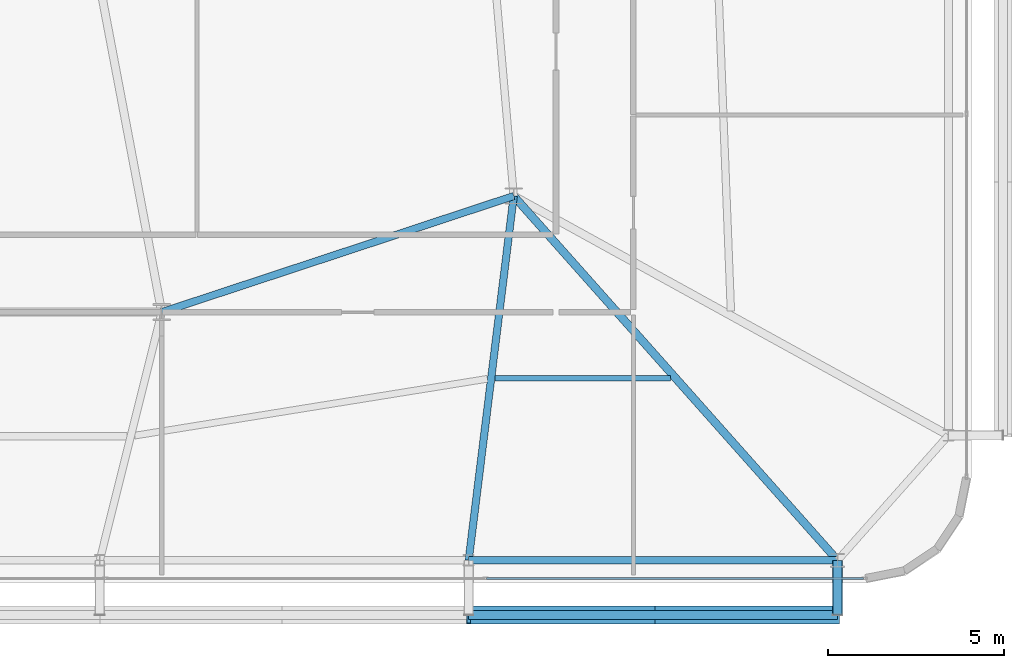
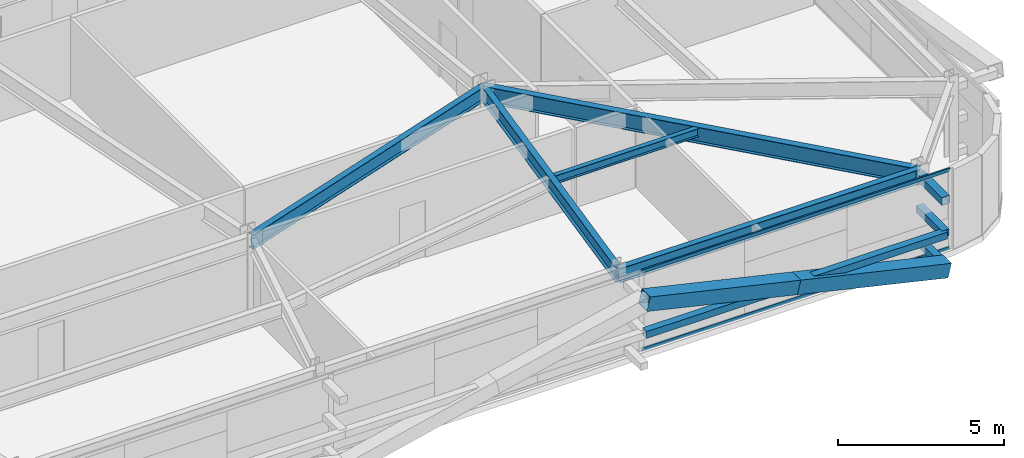
# One storey, part 14 of 44: 8 members, 5 beams, 1 element without a shape of its own.
"""IFC4 building model written with IfcOpenShell, lengths in metres."""

from ifc_helpers import new_model, si_unit, direction, frame, origin, origin_2d, place, context, subcontext, project, spatial, hollow_rectangle, i_section, extrude, source, transform, mapped, material, layer, layer_set, material_profile, profile_set, type_object, element, aggregate, save


model = new_model("IFC4")

# Units and contexts
model_context = context("Model", 3, precision=1e-05, world=origin(), true_north=direction((0.0, 1.0)))
body_context = subcontext(model_context, "Body", "Model", "MODEL_VIEW")
ifc_project = project(units=[si_unit("LENGTHUNIT", "METRE"), si_unit("AREAUNIT", "SQUARE_METRE"), si_unit("VOLUMEUNIT", "CUBIC_METRE"), si_unit("PLANEANGLEUNIT", "RADIAN"), si_unit("MASSUNIT", "GRAM", prefix="KILO")], contexts=[model_context])

# Site, building, storey
site_placement = place(None, origin())
site = spatial("IfcSite", under=ifc_project, at=site_placement, CompositionType="ELEMENT")
building_placement = place(site_placement, origin())
building = spatial("IfcBuilding", under=site, at=building_placement, Name="Taldren Reach Tower", CompositionType="ELEMENT")
storey_placement = place(building_placement, frame((0.0, 0.0, 38.85009765625)))
storey = spatial("IfcBuildingStorey", under=building, at=storey_placement, Name="L11", CompositionType="ELEMENT", Elevation=38.85009765625)

# Beams
ifc_material_1 = material(Name="Steel Gr 350 (350PLUS)", Category="steel")
ifc_material_profile_1 = material_profile(ifc_material_1, i_section(OverallWidth=0.208984375, OverallDepth=0.532958984375, WebThickness=0.01025390625, FlangeThickness=0.015625, at=origin_2d()), Name="530UB92.4")
ifc_profile_set_1 = profile_set([ifc_material_profile_1], Name="Steel Gr 350 (350PLUS)")
beam_type_1 = type_object("IfcBeamType", Name="BM-UB530A", PredefinedType="BEAM", material=ifc_profile_set_1)
shared_shape_1 = source(origin(), body_context, "Body", "SweptSolid", [
    extrude(i_section(OverallWidth=0.208984375, OverallDepth=0.532958984375, WebThickness=0.01025390625, FlangeThickness=0.015625, at=origin_2d()), origin(), (0.0, 0.0, 1.0), 10.530517578125),
])
beam_1_placement = place(storey_placement, frame((42.0, 9.199951171875, 2.663330078125), z_axis=(0.949627269203, 0.313381635689, 0.0), x_axis=(-0.313381635689, 0.949627269203, 0.0)))
element("IfcBeam", 1, at=beam_1_placement, inside=storey, type_object=beam_type_1, Name="Core-spine girder L11-SP12", PredefinedType="BEAM", context=body_context, shape_type="MappedRepresentation", body=[
    mapped(shared_shape_1, transform((0.0, 0.0, 0.0), scale=1.0)),
])
ifc_material_profile_2 = material_profile(ifc_material_1, i_section(OverallWidth=0.208984375, OverallDepth=0.528076171875, WebThickness=0.009521484375, FlangeThickness=0.01318359375, at=origin_2d()), Name="530UB82.0")
ifc_profile_set_2 = profile_set([ifc_material_profile_2], Name="Steel Gr 350 (350PLUS)")
beam_type_2 = type_object("IfcBeamType", Name="SP-UB530B", PredefinedType="SPANDREL", material=ifc_profile_set_2)
shared_shape_2 = source(origin(), body_context, "Body", "SweptSolid", [
    extrude(i_section(OverallWidth=0.208984375, OverallDepth=0.528076171875, WebThickness=0.009521484375, FlangeThickness=0.01318359375, at=origin_2d()), origin(), (0.0, 0.0, 1.0), 10.47998046875),
])
beam_2_placement = place(storey_placement, frame((50.719970703125, 2.14990234375, 2.666015625), z_axis=(1.0, 0.0, 0.0), x_axis=(0.0, 1.0, 0.0)))
element("IfcBeam", 2, at=beam_2_placement, inside=storey, type_object=beam_type_2, Name="Perimeter spandrel B1 S5-S6 L11", PredefinedType="SPANDREL", context=body_context, shape_type="MappedRepresentation", body=[
    mapped(shared_shape_2, transform((0.0, 0.0, 0.0), scale=1.0)),
])
ifc_material_profile_3 = material_profile(ifc_material_1, i_section(OverallWidth=0.22802734375, OverallDepth=0.60205078125, WebThickness=0.010498046875, FlangeThickness=0.014892578125, at=origin_2d()), Name="610UB101")
ifc_profile_set_3 = profile_set([ifc_material_profile_3], Name="Steel Gr 350 (350PLUS)")
beam_type_3 = type_object("IfcBeamType", Name="BM-UB610B", PredefinedType="BEAM", material=ifc_profile_set_3)
shared_shape_3 = source(origin(), body_context, "Body", "SweptSolid", [
    extrude(i_section(OverallWidth=0.22802734375, OverallDepth=0.60205078125, WebThickness=0.010498046875, FlangeThickness=0.014892578125, at=origin_2d()), origin(), (0.0, 0.0, 1.0), 13.847900390625),
])
beam_3_placement = place(storey_placement, frame((52.0, 12.5, 2.62890625), z_axis=(0.664358367375, -0.747414182164, 0.0), x_axis=(0.747414182164, 0.664358367375, 0.0)))
element("IfcBeam", 3, at=beam_3_placement, inside=storey, type_object=beam_type_3, Name="Primary floor girder B1-S6 L11", PredefinedType="BEAM", context=body_context, shape_type="MappedRepresentation", body=[
    mapped(shared_shape_3, transform((0.0, 0.0, 0.0), scale=1.0)),
])
shared_shape_4 = source(origin(), body_context, "Body", "SweptSolid", [
    extrude(i_section(OverallWidth=0.208984375, OverallDepth=0.532958984375, WebThickness=0.01025390625, FlangeThickness=0.015625, at=origin_2d()), origin(), (0.0, 0.0, 1.0), 10.428955078125),
])
beam_4_placement = place(storey_placement, frame((52.0, 12.5, 2.663330078125), z_axis=(-0.122738080664, -0.992439098159, 0.0), x_axis=(0.992439098159, -0.122738080664, 0.0)))
element("IfcBeam", 4, at=beam_4_placement, inside=storey, type_object=beam_type_1, Name="Primary floor girder B1-S5 L11", PredefinedType="BEAM", context=body_context, shape_type="MappedRepresentation", body=[
    mapped(shared_shape_4, transform((0.0, 0.0, 0.0), scale=1.0)),
])
ifc_material_2 = material(Name="Steel Gr 300 (300PLUS, 300 MPa)", Category="steel")
ifc_material_profile_4 = material_profile(ifc_material_2, i_section(OverallWidth=0.166015625, OverallDepth=0.306884765625, WebThickness=0.006591796875, FlangeThickness=0.01171875, at=origin_2d()), Name="310UB46.2")
ifc_profile_set_4 = profile_set([ifc_material_profile_4], Name="Steel Gr 300 (300PLUS, 300 MPa)")
beam_type_4 = type_object("IfcBeamType", Name="JS-UB310", PredefinedType="JOIST", material=ifc_profile_set_4)
shared_shape_5 = source(origin(), body_context, "Body", "SweptSolid", [
    extrude(i_section(OverallWidth=0.166015625, OverallDepth=0.306884765625, WebThickness=0.006591796875, FlangeThickness=0.01171875, at=origin_2d()), origin(), (0.0, 0.0, 1.0), 4.982177734375),
])
beam_5_placement = place(storey_placement, frame((51.46533203125, 7.324951171875, 2.7763671875), z_axis=(1.0, 0.0, 0.0), x_axis=(0.0, 1.0, 0.0)))
element("IfcBeam", 5, at=beam_5_placement, inside=storey, type_object=beam_type_4, Name="Secondary floor joist B1 J5 L11", PredefinedType="JOIST", context=body_context, shape_type="MappedRepresentation", body=[
    mapped(shared_shape_5, transform((0.0, 0.0, 0.0), scale=1.0)),
])

# Members
ifc_material_3 = material(Name="Steel Gr 450 (C450L0)", Category="steel")
ifc_material_profile_5 = material_profile(ifc_material_3, hollow_rectangle(XDim=0.27490234375, YDim=0.27490234375, WallThickness=0.00927734375, at=origin_2d()), Name="275x275x9.3SHS")
ifc_profile_set_5 = profile_set([ifc_material_profile_5], Name="Steel Gr 450 (C450L0)")
member_type_1 = type_object("IfcMemberType", Name="MB-TIE273", PredefinedType="STRUT", material=ifc_profile_set_5)
shared_shape_6 = source(origin(), body_context, "Body", "SweptSolid", [
    extrude(hollow_rectangle(XDim=0.27490234375, YDim=0.27490234375, WallThickness=0.00927734375, at=origin_2d()), origin(), (0.0, 0.0, 1.0), 1.5498046875),
])
member_1_placement = place(storey_placement, frame((61.199951171875, 2.14990234375, 2.64990234375), z_axis=(0.0, -1.0, 0.0), x_axis=(1.0, 0.0, 0.0)))
element("IfcMember", 6, at=member_1_placement, inside=storey, type_object=member_type_1, Name="Exoskeleton diaphragm tie strut B1-S6 L11", PredefinedType="STRUT", context=body_context, shape_type="MappedRepresentation", body=[
    mapped(shared_shape_6, transform((0.0, 0.0, 0.0), scale=1.0)),
])
ifc_material_profile_6 = material_profile(ifc_material_3, hollow_rectangle(XDim=0.510009765625, YDim=0.510009765625, WallThickness=0.02001953125, at=origin_2d()), Name="510x510x20.0SHS")
ifc_profile_set_6 = profile_set([ifc_material_profile_6], Name="Steel Gr 450 (C450L0)")
member_type_2 = type_object("IfcMemberType", Name="MB-EXO508", PredefinedType="BRACE", material=ifc_profile_set_6)
shared_shape_7 = source(origin(), body_context, "Body", "SweptSolid", [
    extrude(hollow_rectangle(XDim=0.510009765625, YDim=0.510009765625, WallThickness=0.02001953125, at=origin_2d()), origin(), (0.0, 0.0, 1.0), 5.37890625),
])
for number, where, z_axis, x_axis, name in (
    (7, (61.199951171875, 0.60009765625, 0.219970703125), (-0.974161966843, 0.0, 0.225850531007), (0.0, -1.0, 0.0), "Exoskeleton Diagrid Brace B1-S5 L11"),
    (8, (55.9599609375, 0.60009765625, 1.434814453125), (-0.97415197996, 0.0, 0.225893603143), (0.0, -1.0, 0.0), "Exoskeleton Diagrid Brace B1-S5 L11"),
):
    element("IfcMember", number, at=place(storey_placement, frame(where, z_axis=z_axis, x_axis=x_axis)), inside=storey, type_object=member_type_2, Name=name, PredefinedType="BRACE", context=body_context, shape_type="MappedRepresentation", body=[
        mapped(shared_shape_7, transform((0.0, 0.0, 0.0), scale=1.0)),
    ])
ifc_material_4 = material(Name="Steel Gr 350 (C350L0)", Category="steel")
ifc_material_profile_7 = material_profile(ifc_material_4, hollow_rectangle(XDim=0.25, YDim=0.25, WallThickness=0.010009765625, at=origin_2d()), Name="250x250x10.0SHS")
ifc_profile_set_7 = profile_set([ifc_material_profile_7], Name="Steel Gr 350 (C350L0)")
member_type_3 = type_object("IfcMemberType", Name="MB-POST250", PredefinedType="POST", material=ifc_profile_set_7)
shared_shape_8 = source(origin(), body_context, "Body", "SweptSolid", [
    extrude(hollow_rectangle(XDim=0.25, YDim=0.25, WallThickness=0.010009765625, at=origin_2d()), origin(), (0.0, 0.0, 1.0), 10.47998046875),
])
member_2_placement = place(storey_placement, frame((50.719970703125, 0.60009765625, 1.434814453125), z_axis=(1.0, 0.0, 0.0), x_axis=(0.0, 1.0, 0.0)))
element("IfcMember", 9, at=member_2_placement, inside=storey, type_object=member_type_3, Name="Exoskeleton mid-height ring chord B1-S5 L11", PredefinedType="POST", context=body_context, shape_type="MappedRepresentation", body=[
    mapped(shared_shape_8, transform((0.0, 0.0, 0.0), scale=1.0)),
])
shared_shape_9 = source(origin(), body_context, "Body", "SweptSolid", [
    extrude(hollow_rectangle(XDim=0.25, YDim=0.25, WallThickness=0.010009765625, at=origin_2d()), origin(), (0.0, 0.0, 1.0), 1.5498046875),
])
for number, where, z_axis, x_axis, name in (
    (10, (61.199951171875, 2.14990234375, 0.219970703125), (0.0, -1.0, 0.0), (1.0, 0.0, 0.0), "Exoskeleton base diaphragm tie strut B1-S6 L11"),
    (11, (61.199951171875, 2.14990234375, 1.434814453125), (0.0, -1.0, 0.0), (1.0, 0.0, 0.0), "Exoskeleton mid-tier diaphragm tie B1-S6 L11"),
):
    element("IfcMember", number, at=place(storey_placement, frame(where, z_axis=z_axis, x_axis=x_axis)), inside=storey, type_object=member_type_3, Name=name, PredefinedType="POST", context=body_context, shape_type="MappedRepresentation", body=[
        mapped(shared_shape_9, transform((0.0, 0.0, 0.0), scale=1.0)),
    ])

# Curtain wall, members
ifc_material_5 = material(Name="Aluminium and Low-E Glass Unitised System", Category="aluminium")
ifc_layer = layer(ifc_material_5, 0.159912109375)
ifc_layer_set = layer_set([ifc_layer], Name="Aluminium and Low-E Glass Unitised System")
curtain_wall_type = type_object("IfcCurtainWallType", Name="CW-SYS-2", PredefinedType="NOTDEFINED", material=ifc_layer_set)
curtain_wall_placement = place(storey_placement, origin())
curtain_wall = element("IfcCurtainWall", 12, at=curtain_wall_placement, inside=storey, type_object=curtain_wall_type, Name="Unitised curtain wall CW-L11-S", PredefinedType="NOTDEFINED")
ifc_material_6 = material(Name="Anodised Aluminium 6063-T6", Category="aluminium")
ifc_material_profile_8 = material_profile(ifc_material_6, hollow_rectangle(XDim=0.054931640625, YDim=0.1201171875, WallThickness=0.0029296875, at=origin_2d()), Name="ALU-120x55x3RHS")
ifc_profile_set_8 = profile_set([ifc_material_profile_8], Name="Anodised Aluminium 6063-T6")
member_type_4 = type_object("IfcMemberType", Name="CW-TRN-135", PredefinedType="USERDEFINED", material=ifc_profile_set_8)
shared_shape_10 = source(origin(), body_context, "Body", "SweptSolid", [
    extrude(hollow_rectangle(XDim=0.054931640625, YDim=0.1201171875, WallThickness=0.0029296875, at=origin_2d()), origin(), (0.0, 0.0, 1.0), 10.70263671875),
])
member_3_placement = place(storey_placement, frame((51.232421875, 1.639892578125, 0.02734375), z_axis=(1.0, 0.0, 0.0), x_axis=(0.0, 1.0, 0.0)))
member_3 = element("IfcMember", 13, at=member_3_placement, type_object=member_type_4, Name="CW-2 transom 5.1", ObjectType="TRANSOM", PredefinedType="USERDEFINED", context=body_context, shape_type="MappedRepresentation", body=[
    mapped(shared_shape_10, transform((0.0, 0.0, 0.0), scale=1.0)),
])
member_4_placement = place(storey_placement, frame((51.232421875, 1.639892578125, 2.90234375), z_axis=(1.0, 0.0, 0.0), x_axis=(0.0, 1.0, 0.0)))
member_4 = element("IfcMember", 14, at=member_4_placement, type_object=member_type_4, Name="CW-2 transom 5.2", ObjectType="TRANSOM", PredefinedType="USERDEFINED", context=body_context, shape_type="MappedRepresentation", body=[
    mapped(shared_shape_10, transform((0.0, 0.0, 0.0), scale=1.0)),
])
aggregate(curtain_wall, [member_3, member_4])

save(model, "model.ifc")
